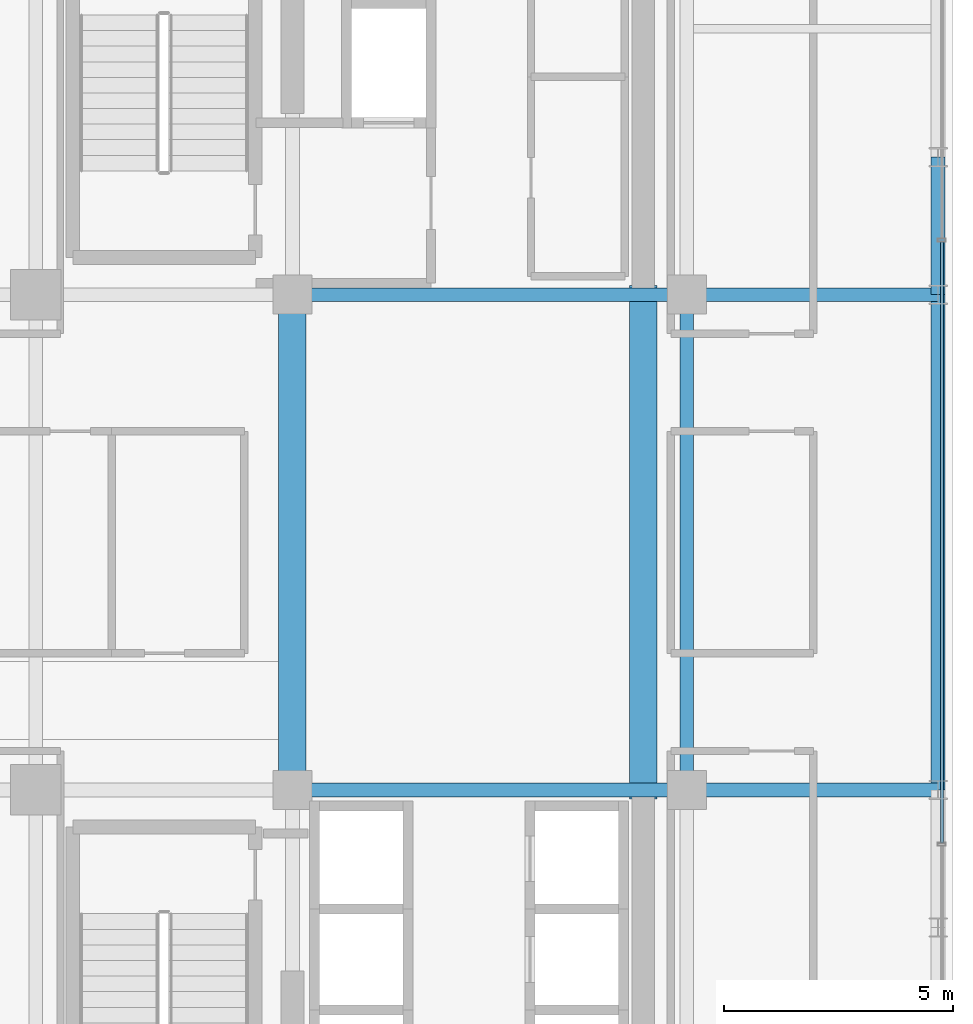
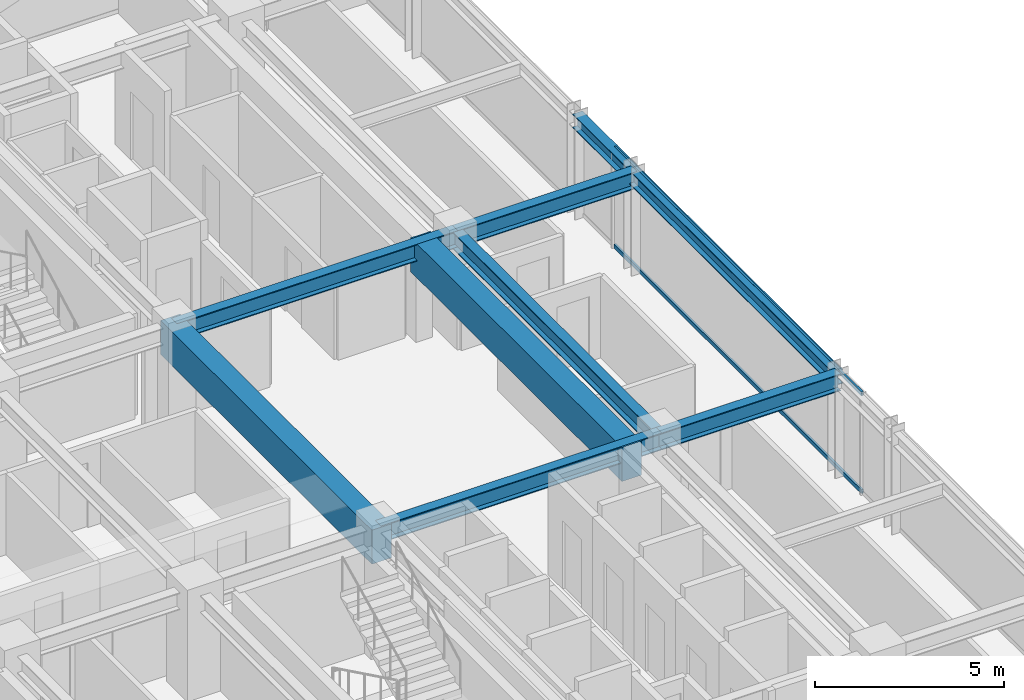
# One storey, part 13 of 32: 9 beams, 2 members, 1 element without a shape of its own.
"""IFC4 building model written with IfcOpenShell, lengths in metres."""

from ifc_helpers import new_model, si_unit, direction, frame, origin, origin_2d, place, context, subcontext, project, spatial, rectangle, hollow_rectangle, i_section, extrude, source, transform, mapped, material, material_profile, profile_set, type_object, element, aggregate, save


model = new_model("IFC4")

# Units and contexts
model_context = context("Model", 3, precision=1e-05, world=origin(), true_north=direction((0.0, 1.0)))
body_context = subcontext(model_context, "Body", "Model", "MODEL_VIEW")
ifc_project = project(units=[si_unit("LENGTHUNIT", "METRE"), si_unit("AREAUNIT", "SQUARE_METRE"), si_unit("VOLUMEUNIT", "CUBIC_METRE"), si_unit("PLANEANGLEUNIT", "RADIAN"), si_unit("MASSUNIT", "GRAM", prefix="KILO")], contexts=[model_context])

# Site, building, storey
site_placement = place(None, origin())
site = spatial("IfcSite", under=ifc_project, at=site_placement, CompositionType="ELEMENT")
building_placement = place(site_placement, origin())
building = spatial("IfcBuilding", under=site, at=building_placement, Name="Nahalor Promenade Grand Hotel", CompositionType="ELEMENT")
storey_placement = place(building_placement, frame((0.0, 0.0, 196.449951171875)))
storey = spatial("IfcBuildingStorey", under=building, at=storey_placement, Name="L50", CompositionType="ELEMENT", Elevation=196.449951171875)

# Beams
ifc_material_1 = material(Name="Concrete B-60 (C50/60)", Category="concrete")
ifc_material_profile_1 = material_profile(ifc_material_1, rectangle(XDim=0.6, YDim=1.1, at=origin_2d()), Name="RC 600x1100")
ifc_profile_set_1 = profile_set([ifc_material_profile_1], Name="Concrete B-60 (C50/60)")
beam_type_1 = type_object("IfcBeamType", Name="Beam-Lintel-RC1100", PredefinedType="LINTEL", material=ifc_profile_set_1)
shared_shape_1 = source(origin(), body_context, "Body", "SweptSolid", [
    extrude(rectangle(XDim=0.6, YDim=1.1, at=origin_2d()), origin(), (0.0, 0.0, 1.0), 11.2001953125),
])
for number, where, z_axis, x_axis, name in (
    (1, (8.39990234375, -5.60009765625, 2.739990234375), (0.0, 1.0, 0.0), (-1.0, 0.0, 0.0), "BM-L50-LINT-W"),
    (2, (16.050048828125, -5.60009765625, 2.739990234375), (0.0, 1.0, 0.0), (-1.0, 0.0, 0.0), "BM-L50-LINT-E"),
):
    element("IfcBeam", number, at=place(storey_placement, frame(where, z_axis=z_axis, x_axis=x_axis)), inside=storey, type_object=beam_type_1, Name=name, PredefinedType="LINTEL", context=body_context, shape_type="MappedRepresentation", body=[
        mapped(shared_shape_1, transform((0.0, 0.0, 0.0), scale=1.0)),
    ])
ifc_material_2 = material(Name="Steel S355JR", Category="steel")
ifc_material_profile_2 = material_profile(ifc_material_2, i_section(OverallWidth=0.3, OverallDepth=0.55, WebThickness=0.015, FlangeThickness=0.029, at=origin_2d()), Name="HEB 550")
ifc_profile_set_2 = profile_set([ifc_material_profile_2], Name="Steel S355JR")
beam_type_2 = type_object("IfcBeamType", Name="Beam-Girder-HEB550", PredefinedType="BEAM", material=ifc_profile_set_2)
shared_shape_2 = source(origin(), body_context, "Body", "SweptSolid", [
    extrude(i_section(OverallWidth=0.3, OverallDepth=0.55, WebThickness=0.015, FlangeThickness=0.029, at=origin_2d()), origin(), (0.0, 0.0, 1.0), 8.60009765625),
])
for number, where, z_axis, x_axis, name in (
    (3, (8.39990234375, -5.39990234375, 3.01513671875), (1.0, 0.0, 0.0), (0.0, 1.0, 0.0), "BM-L50-GX-1-5"),
    (4, (8.39990234375, 5.39990234375, 3.01513671875), (1.0, 0.0, 0.0), (0.0, 1.0, 0.0), "BM-L50-GX-2-5"),
):
    element("IfcBeam", number, at=place(storey_placement, frame(where, z_axis=z_axis, x_axis=x_axis)), inside=storey, type_object=beam_type_2, Name=name, PredefinedType="BEAM", context=body_context, shape_type="MappedRepresentation", body=[
        mapped(shared_shape_2, transform((0.0, 0.0, 0.0), scale=1.0)),
    ])
shared_shape_3 = source(origin(), body_context, "Body", "SweptSolid", [
    extrude(i_section(OverallWidth=0.3, OverallDepth=0.55, WebThickness=0.015, FlangeThickness=0.029, at=origin_2d()), origin(), (0.0, 0.0, 1.0), 10.7998046875),
])
beam_1_placement = place(storey_placement, frame((17.0, -5.39990234375, 3.01513671875), z_axis=(0.0, 1.0, 0.0), x_axis=(-1.0, 0.0, 0.0)))
element("IfcBeam", 5, at=beam_1_placement, inside=storey, type_object=beam_type_2, Name="BM-L50-GY-5-2", PredefinedType="BEAM", context=body_context, shape_type="MappedRepresentation", body=[
    mapped(shared_shape_3, transform((0.0, 0.0, 0.0), scale=1.0)),
])
shared_shape_4 = source(origin(), body_context, "Body", "SweptSolid", [
    extrude(i_section(OverallWidth=0.3, OverallDepth=0.55, WebThickness=0.015, FlangeThickness=0.029, at=origin_2d()), origin(), (0.0, 0.0, 1.0), 5.47998046875),
])
for number, where, z_axis, x_axis, name in (
    (6, (17.0, -5.39990234375, 3.01513671875), (1.0, 0.0, 0.0), (0.0, 1.0, 0.0), "BM-L50-GX-1-6"),
    (7, (17.0, 5.39990234375, 3.01513671875), (1.0, 0.0, 0.0), (0.0, 1.0, 0.0), "BM-L50-GX-2-6"),
):
    element("IfcBeam", number, at=place(storey_placement, frame(where, z_axis=z_axis, x_axis=x_axis)), inside=storey, type_object=beam_type_2, Name=name, PredefinedType="BEAM", context=body_context, shape_type="MappedRepresentation", body=[
        mapped(shared_shape_4, transform((0.0, 0.0, 0.0), scale=1.0)),
    ])
ifc_material_profile_3 = material_profile(ifc_material_2, i_section(OverallWidth=0.3, OverallDepth=0.45, WebThickness=0.014, FlangeThickness=0.026, at=origin_2d()), Name="HEB 450")
ifc_profile_set_3 = profile_set([ifc_material_profile_3], Name="Steel S355JR")
beam_type_3 = type_object("IfcBeamType", Name="Beam-Spandrel-HEB450", PredefinedType="SPANDREL", material=ifc_profile_set_3)
shared_shape_5 = source(origin(), body_context, "Body", "SweptSolid", [
    extrude(i_section(OverallWidth=0.3, OverallDepth=0.45, WebThickness=0.014, FlangeThickness=0.026, at=origin_2d()), origin(), (0.0, 0.0, 1.0), 3.0),
])
beam_2_placement = place(storey_placement, frame((22.47998046875, 5.39990234375, 3.06494140625), z_axis=(0.0, 1.0, 0.0), x_axis=(-1.0, 0.0, 0.0)))
element("IfcBeam", 8, at=beam_2_placement, inside=storey, type_object=beam_type_3, Name="BM-L50-SP-E-3", PredefinedType="SPANDREL", context=body_context, shape_type="MappedRepresentation", body=[
    mapped(shared_shape_5, transform((0.0, 0.0, 0.0), scale=1.0)),
])
shared_shape_6 = source(origin(), body_context, "Body", "SweptSolid", [
    extrude(i_section(OverallWidth=0.3, OverallDepth=0.45, WebThickness=0.014, FlangeThickness=0.026, at=origin_2d()), origin(), (0.0, 0.0, 1.0), 10.7998046875),
])
beam_3_placement = place(storey_placement, frame((22.47998046875, -5.39990234375, 3.06494140625), z_axis=(0.0, 1.0, 0.0), x_axis=(-1.0, 0.0, 0.0)))
element("IfcBeam", 9, at=beam_3_placement, inside=storey, type_object=beam_type_3, Name="BM-L50-SP-E-2", PredefinedType="SPANDREL", context=body_context, shape_type="MappedRepresentation", body=[
    mapped(shared_shape_6, transform((0.0, 0.0, 0.0), scale=1.0)),
])

# Curtain wall, members
ifc_material_3 = material(Name="Anodised Bronze Aluminium EN AW-6063 T6", Category="aluminium")
curtain_wall_type = type_object("IfcCurtainWallType", Name="CW2 Typical Hotel Flush Bronze Unitised Curtain Wall", PredefinedType="USERDEFINED", material=ifc_material_3)
curtain_wall_placement = place(storey_placement, origin())
curtain_wall = element("IfcCurtainWall", 10, at=curtain_wall_placement, inside=storey, type_object=curtain_wall_type, Name="L50 Curtain Wall CW-L50-E-1", ObjectType="UNITISED_CURTAIN_WALL", PredefinedType="USERDEFINED")
ifc_material_profile_4 = material_profile(ifc_material_3, hollow_rectangle(XDim=0.065, YDim=0.13, WallThickness=0.004, at=origin_2d()), Name="CWT 65x130x4")
ifc_profile_set_4 = profile_set([ifc_material_profile_4], Name="Anodised Bronze Aluminium EN AW-6063 T6")
member_type = type_object("IfcMemberType", Name="CWT2 Typical Bronze Transom 65x130", PredefinedType="USERDEFINED", material=ifc_profile_set_4)
shared_shape_7 = source(origin(), body_context, "Body", "SweptSolid", [
    extrude(hollow_rectangle(XDim=0.065, YDim=0.13, WallThickness=0.004, at=origin_2d()), origin(), (0.0, 0.0, 1.0), 13.1083984375),
])
member_1_placement = place(storey_placement, frame((22.56005859375, -6.55419921875, 0.06494140625), z_axis=(0.0, 1.0, 0.0), x_axis=(-1.0, 0.0, 0.0)))
member_1 = element("IfcMember", 11, at=member_1_placement, type_object=member_type, Name="CW-L50-E-1 Transom 1-0", ObjectType="TRANSOM", PredefinedType="USERDEFINED", context=body_context, shape_type="MappedRepresentation", body=[
    mapped(shared_shape_7, transform((0.0, 0.0, 0.0), scale=1.0)),
])
member_2_placement = place(storey_placement, frame((22.56005859375, -6.55419921875, 3.22509765625), z_axis=(0.0, 1.0, 0.0), x_axis=(-1.0, 0.0, 0.0)))
member_2 = element("IfcMember", 12, at=member_2_placement, type_object=member_type, Name="CW-L50-E-1 Transom 1-1", ObjectType="TRANSOM", PredefinedType="USERDEFINED", context=body_context, shape_type="MappedRepresentation", body=[
    mapped(shared_shape_7, transform((0.0, 0.0, 0.0), scale=1.0)),
])
aggregate(curtain_wall, [member_1, member_2])

save(model, "model.ifc")
